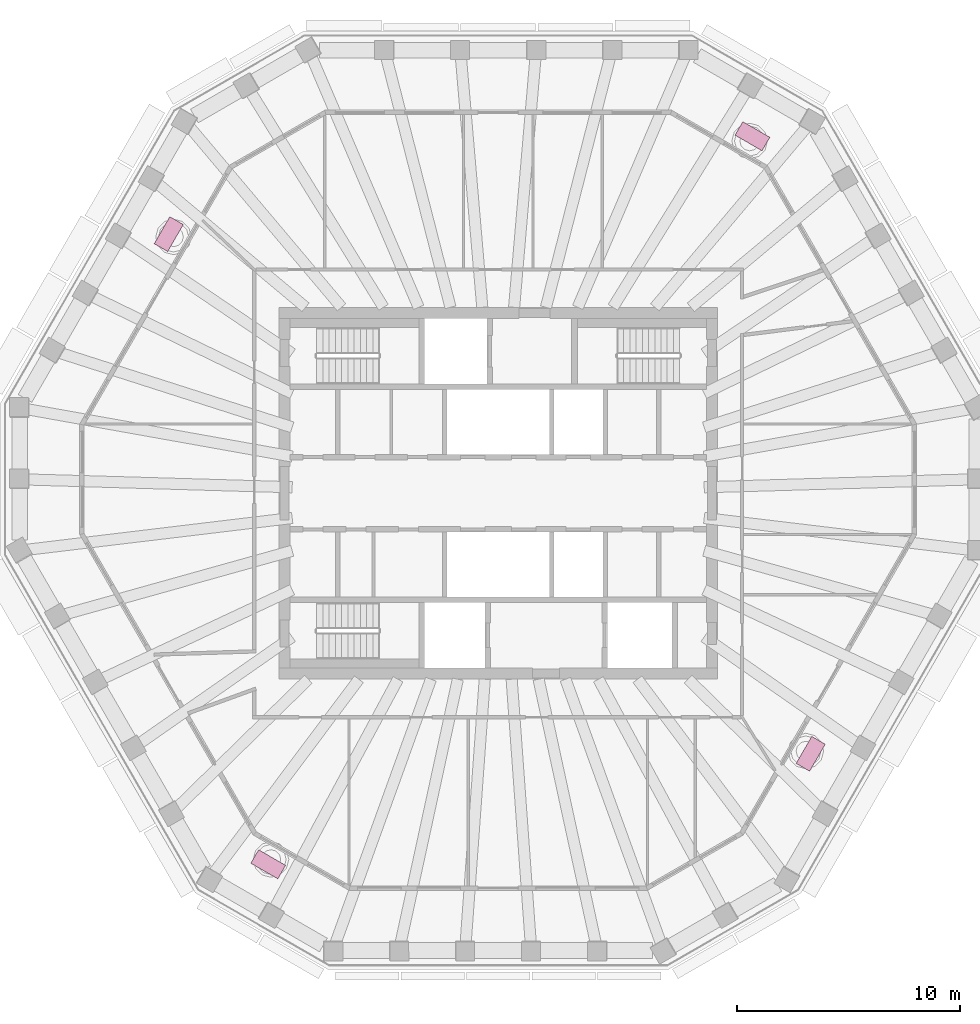
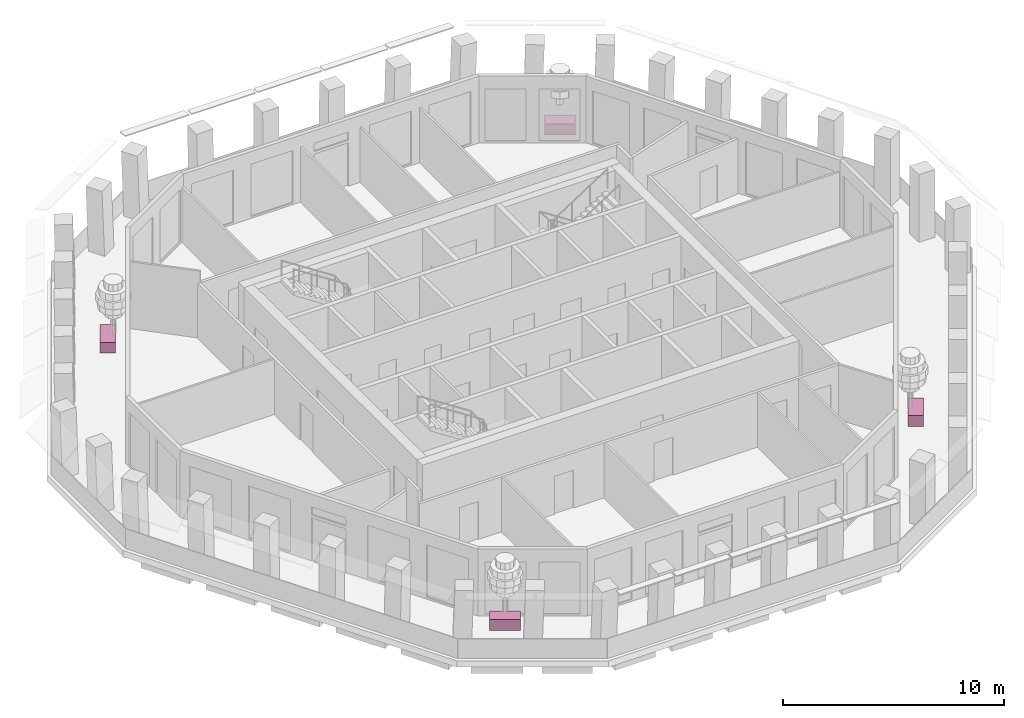
# One storey, part 10 of 11: 4 furniture elements.
"""IFC4 building model written with IfcOpenShell, lengths in metres."""

import ifcopenshell
import ifcopenshell.guid

model = None  # the IFC model being written
_history = None  # IfcOwnerHistory: only IFC2X3 demands one
_inside = {}  # id of a spatial element -> (the spatial element, [elements in it])
_under = {}  # id of a project, library or spatial element -> (it, [spatial elements below it])
_declared = {}  # id of a project -> (the project, [libraries it declares])
_typed = {}  # id of a type object -> (the type object, [elements of that type])
_made_of = {}  # id of a material, layer set ... -> (it, [elements and type objects made of it])


def new_model(schema):
    """Start an empty IFC model of exactly this schema.

    Asked for "IFC4X3", IfcOpenShell would pick the latest addendum, in which some entities
    have other attributes; the version numbers below select the first issue.
    IFC2X3 requires an IfcOwnerHistory on every rooted entity: one is made here for all.
    """
    global model, _history
    if schema == "IFC4X3":
        model = ifcopenshell.file(schema_version=(4, 3, 0, 0))
    else:
        model = ifcopenshell.file(schema=schema)
    _inside.clear()
    _under.clear()
    _declared.clear()
    _typed.clear()
    _made_of.clear()
    _history = None
    if model.schema == "IFC2X3":
        org = make("IfcOrganization", Name="unknown")
        user = make(
            "IfcPersonAndOrganization",
            ThePerson=make("IfcPerson", FamilyName="unknown"),
            TheOrganization=org,
        )
        app = make(
            "IfcApplication",
            ApplicationDeveloper=org,
            Version="unknown",
            ApplicationFullName="unknown",
            ApplicationIdentifier="unknown",
        )
        _history = make(
            "IfcOwnerHistory",
            OwningUser=user,
            OwningApplication=app,
            ChangeAction="ADDED",
            CreationDate=0,
        )
    return model


def make(cls, **values):
    """One entity of the class cls with the attributes given. An attribute that is None is left unset."""
    return model.create_entity(
        cls, **{name: value for name, value in values.items() if value is not None}
    )


def rooted(cls, **values):
    """An entity with a GlobalId (a new one), such as an element, a storey or a relation."""
    return make(cls, GlobalId=ifcopenshell.guid.new(), OwnerHistory=_history, **values)


def si_unit(unit_type, name, prefix=None):
    """IfcSIUnit, for example si_unit("LENGTHUNIT", "METRE", prefix="MILLI")."""
    return make("IfcSIUnit", UnitType=unit_type, Prefix=prefix, Name=name)


def assignment(units):
    """IfcUnitAssignment: the units of a project."""
    return None if units is None else make("IfcUnitAssignment", Units=units)


def point(xyz):
    """IfcCartesianPoint."""
    return None if xyz is None else make("IfcCartesianPoint", Coordinates=xyz)


def direction(xyz):
    """IfcDirection."""
    return None if xyz is None else make("IfcDirection", DirectionRatios=xyz)


def frame(location, z_axis=None, x_axis=None):
    """IfcAxis2Placement3D, a coordinate frame: its origin and axes. An axis left out is left unset."""
    return make(
        "IfcAxis2Placement3D",
        Location=point(location),
        Axis=direction(z_axis),
        RefDirection=direction(x_axis),
    )


def frame_2d(location, x_axis=None):
    """IfcAxis2Placement2D, a coordinate frame in the plane: its origin and x axis."""
    return make(
        "IfcAxis2Placement2D", Location=point(location), RefDirection=direction(x_axis)
    )


def origin():
    """The frame at (0, 0, 0) with its axes left unset."""
    return frame((0.0, 0.0, 0.0))


def origin_2d():
    """The frame at (0, 0) in the plane with its x axis left unset."""
    return frame_2d((0.0, 0.0))


def place(relative_to, where):
    """IfcLocalPlacement: puts the frame where relative to a parent placement (None: the world)."""
    return make(
        "IfcLocalPlacement", PlacementRelTo=relative_to, RelativePlacement=where
    )


def context(
    kind, dimensions, precision=None, world=None, true_north=None, identifier=None
):
    """IfcGeometricRepresentationContext, for example the 3D "Model" context."""
    return make(
        "IfcGeometricRepresentationContext",
        ContextIdentifier=identifier,
        ContextType=kind,
        CoordinateSpaceDimension=dimensions,
        Precision=precision,
        WorldCoordinateSystem=world,
        TrueNorth=true_north,
    )


def subcontext(parent, identifier, kind, view, scale=None):
    """IfcGeometricRepresentationSubContext, for example "Body" below "Model"."""
    return make(
        "IfcGeometricRepresentationSubContext",
        ContextIdentifier=identifier,
        ContextType=kind,
        ParentContext=parent,
        TargetScale=scale,
        TargetView=view,
    )


def project(units=None, contexts=None):
    """IfcProject with its units and contexts."""
    return rooted(
        "IfcProject",
        Name="project",
        RepresentationContexts=contexts,
        UnitsInContext=assignment(units),
    )


def spatial(cls, under=None, at=None, **own):
    """A site, building, storey or space (cls), placed at a placement, below another one or the project."""
    s = rooted(cls, ObjectPlacement=at, **own)
    if under is not None:
        _under.setdefault(under.id(), (under, []))[1].append(s)
    return s


def profile(cls, at=None, kind="AREA", **sizes):
    """A parametric profile (cls). Its sizes go by their IFC names, for example OverallWidth=200.0."""
    return make(cls, ProfileType=kind, Position=at, **sizes)


def rectangle(**sizes):
    """IfcRectangleProfileDef."""
    return profile("IfcRectangleProfileDef", **sizes)


def extrude(swept, where, along, depth):
    """IfcExtrudedAreaSolid: the profile swept, set in the frame where, extruded along a direction by depth."""
    return make(
        "IfcExtrudedAreaSolid",
        SweptArea=swept,
        Position=where,
        ExtrudedDirection=direction(along),
        Depth=depth,
    )


def shape(context_of_items, identifier, shape_type, items):
    """IfcShapeRepresentation: the items that make up one representation, for example the "Body"."""
    return make(
        "IfcShapeRepresentation",
        ContextOfItems=context_of_items,
        RepresentationIdentifier=identifier,
        RepresentationType=shape_type,
        Items=items,
    )


def material(Name=None, Category=None):
    """IfcMaterial."""
    return make("IfcMaterial", Name=Name, Category=Category)


def made_of(thing, what):
    """Note that an element or type object is made of a material, layer set ...; save() writes the relation."""
    if what is not None:
        _made_of.setdefault(what.id(), (what, []))[1].append(thing)
    return thing


def type_object(cls, material=None, **own):
    """A type object (cls), such as IfcWallType, which elements share."""
    return made_of(rooted(cls, **own), material)


def element(
    cls,
    number,
    at=None,
    inside=None,
    cuts=None,
    type_object=None,
    material=None,
    context=None,
    identifier="Body",
    shape_type=None,
    held_by="IfcProductDefinitionShape",
    body=None,
    shapes=None,
    **own,
):
    """One element of the class cls, such as IfcWall. Its Tag is "e" and its number.

    at: its placement. inside: the storey or other place that contains it. cuts: it is an
    opening in that element (IfcRelVoidsElement). A single representation is given by context,
    identifier, shape_type and body (its items); several are given by shapes. held_by: the class
    of the entity that holds the representations. save() writes the other relations.
    """
    e = rooted(cls, Tag="e%d" % number, ObjectPlacement=at, **own)
    if body is not None:
        shapes = [shape(context, identifier, shape_type, body)]
    if shapes is not None:
        e.Representation = make(held_by, Representations=shapes)
    if inside is not None:
        _inside.setdefault(inside.id(), (inside, []))[1].append(e)
    if cuts is not None:
        rooted(
            "IfcRelVoidsElement", RelatingBuildingElement=cuts, RelatedOpeningElement=e
        )
    if type_object is not None:
        _typed.setdefault(type_object.id(), (type_object, []))[1].append(e)
    return made_of(e, material)


def aggregate(whole, parts):
    """IfcRelAggregates: a whole, such as a stair, and the parts it consists of."""
    return rooted("IfcRelAggregates", RelatingObject=whole, RelatedObjects=parts)


def save(model, path):
    """Write the relations noted so far, then the file.

    IfcRelAggregates (storeys below a building ...), IfcRelContainedInSpatialStructure (elements
    in a storey), IfcRelDefinesByType, IfcRelAssociatesMaterial and IfcRelDeclares: one each for
    every whole, place, type object, material and project.
    """
    for whole, parts in _under.values():
        aggregate(whole, parts)
    for where, things in _inside.values():
        rooted(
            "IfcRelContainedInSpatialStructure",
            RelatedElements=things,
            RelatingStructure=where,
        )
    for kind, things in _typed.values():
        rooted("IfcRelDefinesByType", RelatedObjects=things, RelatingType=kind)
    for what, things in _made_of.values():
        rooted("IfcRelAssociatesMaterial", RelatedObjects=things, RelatingMaterial=what)
    for by, libraries in _declared.values():
        rooted("IfcRelDeclares", RelatingContext=by, RelatedDefinitions=libraries)
    model.write(path)


model = new_model("IFC4")

# Units and contexts
model_context = context("Model", 3, precision=1e-05, world=origin(), true_north=direction((0.0, 1.0)))
body_context = subcontext(model_context, "Body", "Model", "MODEL_VIEW")
ifc_project = project(units=[si_unit("LENGTHUNIT", "METRE"), si_unit("AREAUNIT", "SQUARE_METRE"), si_unit("VOLUMEUNIT", "CUBIC_METRE"), si_unit("PLANEANGLEUNIT", "RADIAN"), si_unit("MASSUNIT", "GRAM", prefix="KILO")], contexts=[model_context])

# Site, building, storey
site_placement = place(None, origin())
site = spatial("IfcSite", under=ifc_project, at=site_placement, CompositionType="ELEMENT")
building_placement = place(site_placement, origin())
building = spatial("IfcBuilding", under=site, at=building_placement, Name="Frailejon Research Tower", CompositionType="ELEMENT")
storey_placement = place(building_placement, frame((0.0, 0.0, 328.60009765625)))
storey = spatial("IfcBuildingStorey", under=building, at=storey_placement, Name="L73", CompositionType="ELEMENT", Elevation=328.60009765625)

# Furniture
ifc_material = material(Name="Precast concrete C30/37 planter, terracotta", Category="masonry")
furniture_type = type_object("IfcFurnitureType", Name="Loggia planter 1400x700", AssemblyPlace="NOTDEFINED", PredefinedType="USERDEFINED", material=ifc_material)
for number, where, z_axis, x_axis, name in (
    (1, (11.41455078125, 16.031005859375, -0.000244140625), (0.0, 0.0, 1.0), (-0.866025403784, 0.5, 0.0), "Planter L73"),
    (2, (-14.79248046875, 11.635498046875, -0.000244140625), (0.0, 0.0, 1.0), (-0.5, -0.866025403784, 0.0), "Planter L73"),
    (3, (-10.325927734375, -16.659423828125, -0.000244140625), (0.0, 0.0, 1.0), (0.866025403784, -0.5, 0.0), "Planter L73"),
    (4, (14.030517578125, -11.698486328125, -0.000244140625), (0.0, 0.0, 1.0), (0.5, 0.866025403784, 0.0), "Planter L73"),
):
    element("IfcFurniture", number, at=place(storey_placement, frame(where, z_axis=z_axis, x_axis=x_axis)), inside=storey, type_object=furniture_type, Name=name, ObjectType="PLANTER", PredefinedType="USERDEFINED", context=body_context, shape_type="SweptSolid", body=[
        extrude(rectangle(XDim=1.39990234375, YDim=0.699951171875, at=origin_2d()), origin(), (0.0, 0.0, 1.0), 0.60009765625),
    ])

save(model, "model.ifc")
